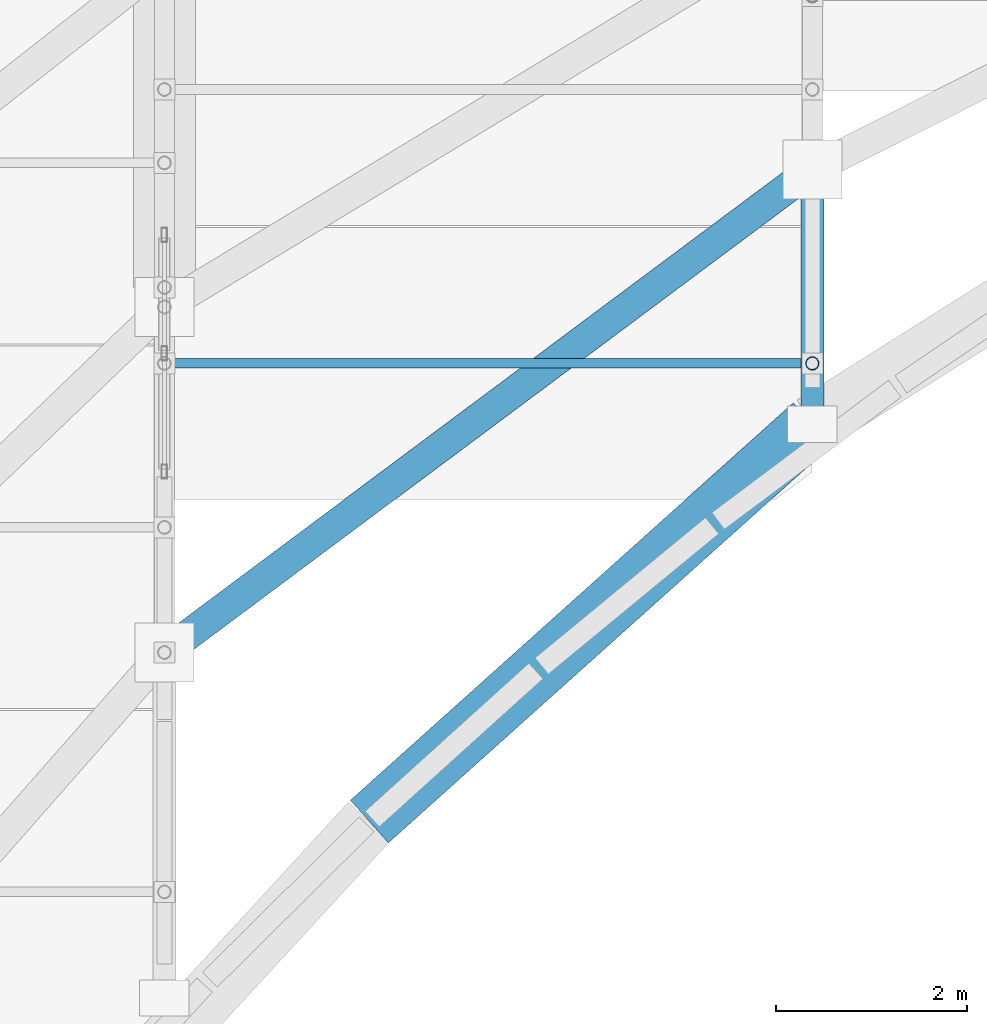
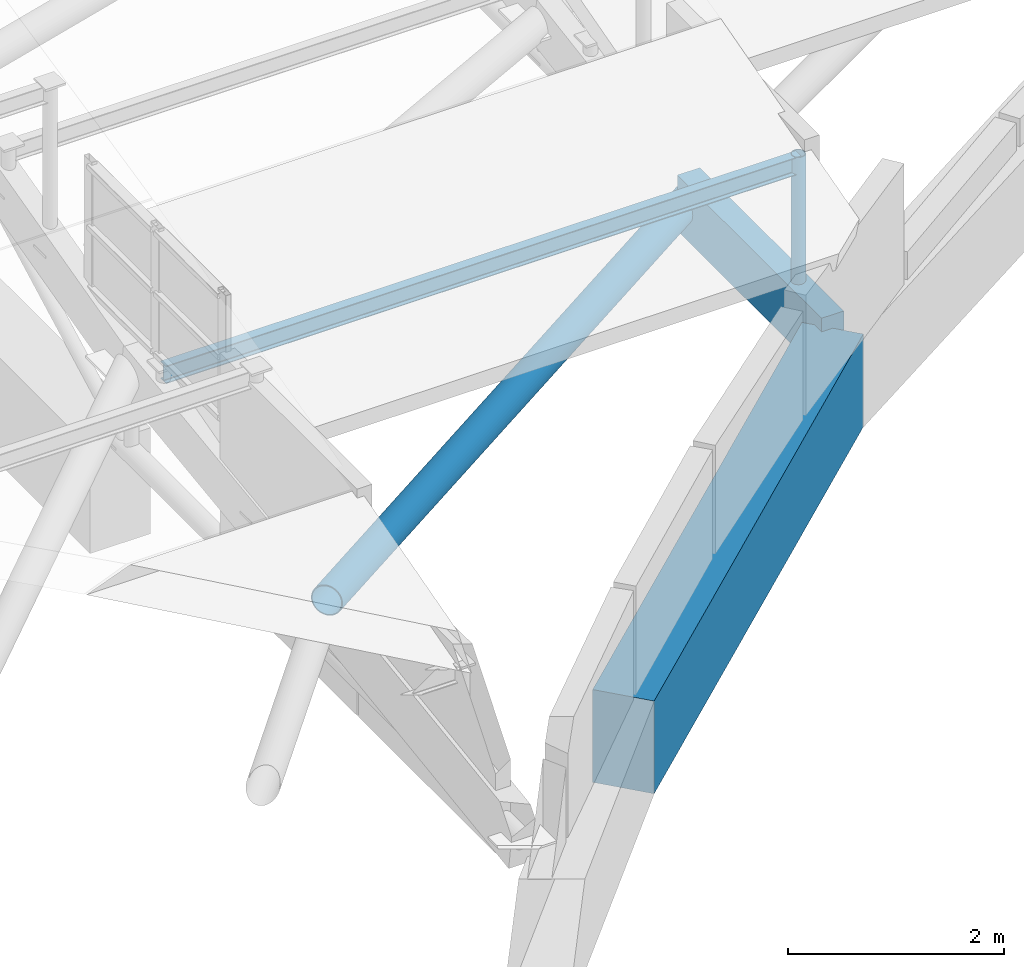
# One storey, part 80 of 188: 4 members, 1 beam.
"""IFC4 building model written with IfcOpenShell, lengths in metres."""

from ifc_helpers import new_model, si_unit, direction, frame, origin, origin_2d, place, context, subcontext, project, spatial, rectangle, hollow_circle, i_section, extrude, material, material_profile, profile_set, type_object, element, save


model = new_model("IFC4")

# Units and contexts
model_context = context("Model", 3, precision=1e-05, world=origin(), true_north=direction((0.0, 1.0)))
body_context = subcontext(model_context, "Body", "Model", "MODEL_VIEW")
ifc_project = project(units=[si_unit("LENGTHUNIT", "METRE"), si_unit("AREAUNIT", "SQUARE_METRE"), si_unit("VOLUMEUNIT", "CUBIC_METRE"), si_unit("PLANEANGLEUNIT", "RADIAN"), si_unit("MASSUNIT", "GRAM", prefix="KILO")], contexts=[model_context])

# Site, building, storey
site_placement = place(None, origin())
site = spatial("IfcSite", under=ifc_project, at=site_placement, CompositionType="ELEMENT")
building_placement = place(site_placement, origin())
building = spatial("IfcBuilding", under=site, at=building_placement, Name="Kisaragi Civic Commons", CompositionType="ELEMENT")
storey_placement = place(building_placement, frame((0.0, 0.0, 9.60009765625)))
storey = spatial("IfcBuildingStorey", under=building, at=storey_placement, Name="L02", CompositionType="ELEMENT", Elevation=9.60009765625)

# Beam
ifc_material_1 = material(Name="Concrete Fc36", Category="concrete")
ifc_material_profile_1 = material_profile(ifc_material_1, rectangle(XDim=0.60009765625, YDim=1.050048828125, at=origin_2d()), Name="RC-600x1050", Category="concrete")
ifc_profile_set_1 = profile_set([ifc_material_profile_1], Name="Concrete Fc36")
beam_type = type_object("IfcBeamType", Name="G-06", PredefinedType="BEAM", material=ifc_profile_set_1)
beam_placement = place(storey_placement, frame((40.800048828125, 94.565185546875, -0.84521484375), z_axis=(-0.744377792702, -0.667758715205, 0.0), x_axis=(0.667758715205, -0.744377792702, 0.0)))
element("IfcBeam", 1, at=beam_placement, inside=storey, type_object=beam_type, Name="L02 curved spandrel/ring girder G-06 274", PredefinedType="BEAM", context=body_context, shape_type="SweptSolid", body=[
    extrude(rectangle(XDim=0.60009765625, YDim=1.050048828125, at=origin_2d()), origin(), (0.0, 0.0, 1.0), 6.245361328125),
])

# Members
ifc_material_2 = material(Name="Steel SN490 (SN490B)", Category="steel")
ifc_material_profile_2 = material_profile(ifc_material_2, hollow_circle(Radius=0.1591796875, WallThickness=0.01025390625, at=origin_2d()), Name="CHS-318.5x10.3", Category="steel")
ifc_profile_set_2 = profile_set([ifc_material_profile_2], Name="Steel SN490 (SN490B)")
member_type_1 = type_object("IfcMemberType", Name="GC-03", PredefinedType="CHORD", material=ifc_profile_set_2)
member_1_placement = place(storey_placement, frame((34.0, 92.169189453125, 0.433349609375), z_axis=(0.797024940634, 0.594342010447, -0.107279162117), x_axis=(-0.597791904525, 0.801651320016, 0.0)))
element("IfcMember", 2, at=member_1_placement, inside=storey, type_object=member_type_1, Name="V2 wave gridshell chord GC-03 36", PredefinedType="CHORD", context=body_context, shape_type="SweptSolid", body=[
    extrude(hollow_circle(Radius=0.1591796875, WallThickness=0.01025390625, at=origin_2d()), origin(), (0.0, 0.0, 1.0), 8.53173828125),
])
ifc_material_3 = material(Name="Glulam E120-F330", Category="wood")
ifc_material_profile_3 = material_profile(ifc_material_3, rectangle(XDim=0.239990234375, YDim=0.6298828125, at=origin_2d()), Name="GL-240x630", Category="wood")
ifc_profile_set_3 = profile_set([ifc_material_profile_3], Name="Glulam E120-F330")
member_type_2 = type_object("IfcMemberType", Name="GR-03", PredefinedType="RAFTER", material=ifc_profile_set_3)
member_2_placement = place(storey_placement, frame((40.800048828125, 94.565185546875, -0.48193359375), z_axis=(0.0, 1.0, 0.0), x_axis=(-1.0, 0.0, 0.0)))
element("IfcMember", 3, at=member_2_placement, inside=storey, type_object=member_type_2, Name="V2 glulam arch rib GR-03 49", PredefinedType="RAFTER", context=body_context, shape_type="SweptSolid", body=[
    extrude(rectangle(XDim=0.239990234375, YDim=0.6298828125, at=origin_2d()), origin(), (0.0, 0.0, 1.0), 2.6748046875),
])
ifc_material_4 = material(Name="Steel SN400 (SN400B)", Category="steel")
ifc_material_profile_4 = material_profile(ifc_material_4, i_section(OverallWidth=0.10009765625, OverallDepth=0.199951171875, WebThickness=0.005615234375, FlangeThickness=0.008056640625, FilletRadius=0.008056640625, at=origin_2d()), Name="H-200x100x5.5x8", Category="steel")
ifc_profile_set_4 = profile_set([ifc_material_profile_4], Name="Steel SN400 (SN400B)")
member_type_3 = type_object("IfcMemberType", Name="PR-02", PredefinedType="PURLIN", material=ifc_profile_set_4)
member_3_placement = place(storey_placement, frame((34.0, 95.20263671875, 1.173095703125), z_axis=(1.0, 0.0, 0.0), x_axis=(0.0, 1.0, 0.0)))
element("IfcMember", 4, at=member_3_placement, inside=storey, type_object=member_type_3, Name="V2 wave vault steel purlin 41", PredefinedType="PURLIN", context=body_context, shape_type="SweptSolid", body=[
    extrude(i_section(OverallWidth=0.10009765625, OverallDepth=0.199951171875, WebThickness=0.005615234375, FlangeThickness=0.008056640625, FilletRadius=0.008056640625, at=origin_2d()), origin(), (0.0, 0.0, 1.0), 6.800048828125),
])
ifc_material_profile_5 = material_profile(ifc_material_2, hollow_circle(Radius=0.06982421875, WallThickness=0.006103515625, at=origin_2d()), Name="CHS-139.8x6.0", Category="steel")
ifc_profile_set_5 = profile_set([ifc_material_profile_5], Name="Steel SN490 (SN490B)")
member_type_4 = type_object("IfcMemberType", Name="ST-H1", PredefinedType="STRUT", material=ifc_profile_set_5)
member_4_placement = place(storey_placement, frame((40.800048828125, 95.20263671875, -0.48193359375), z_axis=(0.0, 0.0, 1.0), x_axis=(1.0, 0.0, 0.0)))
element("IfcMember", 5, at=member_4_placement, inside=storey, type_object=member_type_4, Name="V2 clerestory monitor horizontal tie strut 6.6.1", PredefinedType="STRUT", context=body_context, shape_type="SweptSolid", body=[
    extrude(hollow_circle(Radius=0.06982421875, WallThickness=0.006103515625, at=origin_2d()), origin(), (0.0, 0.0, 1.0), 1.755126953125),
])

save(model, "model.ifc")
